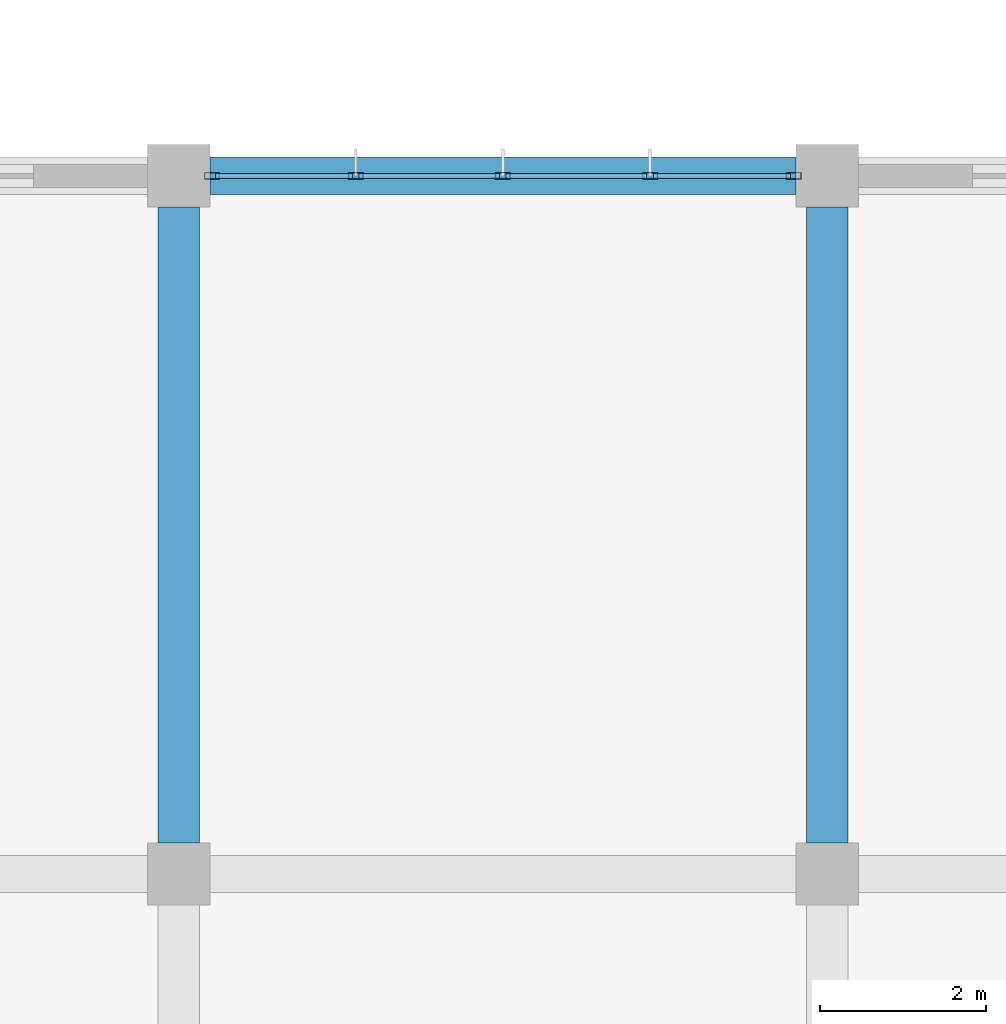
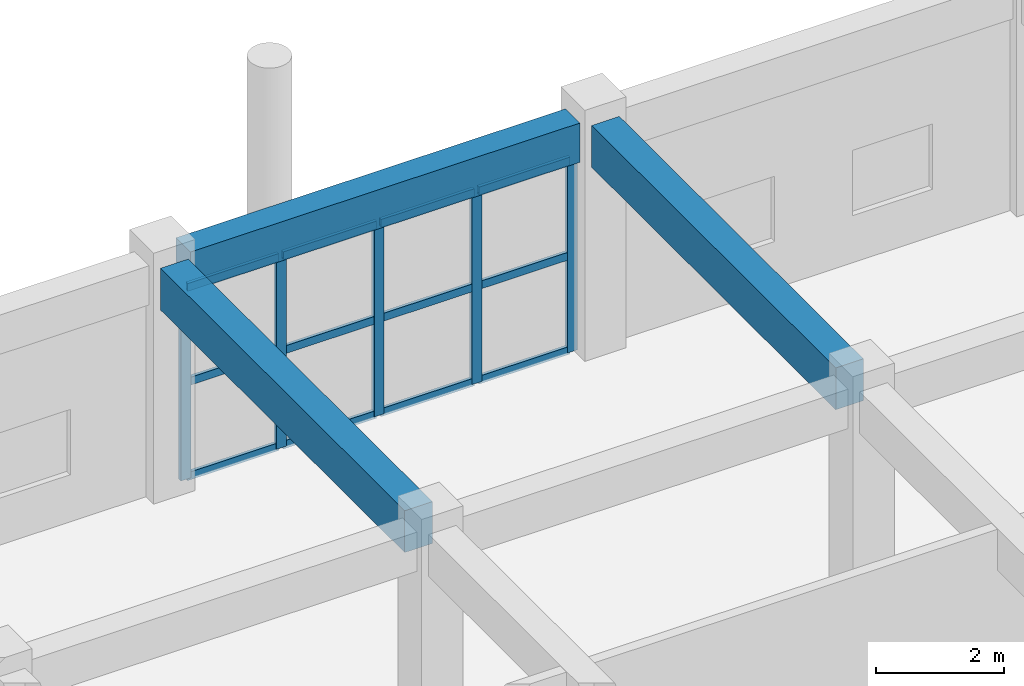
# One storey, part 128 of 175: 17 members, 3 beams, 1 element without a shape of its own.
"""IFC4 building model written with IfcOpenShell, lengths in metres."""

from ifc_helpers import new_model, si_unit, direction, frame, origin, origin_2d, place, context, subcontext, project, spatial, rectangle, hollow_rectangle, extrude, material, layer, layer_set, material_profile, profile_set, type_object, element, aggregate, save


model = new_model("IFC4")

# Units and contexts
model_context = context("Model", 3, precision=1e-05, world=origin(), true_north=direction((0.0, 1.0)))
body_context = subcontext(model_context, "Body", "Model", "MODEL_VIEW")
ifc_project = project(units=[si_unit("LENGTHUNIT", "METRE"), si_unit("AREAUNIT", "SQUARE_METRE"), si_unit("VOLUMEUNIT", "CUBIC_METRE"), si_unit("PLANEANGLEUNIT", "RADIAN"), si_unit("MASSUNIT", "GRAM", prefix="KILO")], contexts=[model_context])

# Site, building, storey
site_placement = place(None, origin())
site = spatial("IfcSite", under=ifc_project, at=site_placement, CompositionType="ELEMENT")
building_placement = place(site_placement, origin())
building = spatial("IfcBuilding", under=site, at=building_placement, Name="Zizhar Promenade General Hospital", CompositionType="ELEMENT")
storey_placement = place(building_placement, frame((0.0, 0.0, 4.800048828125)))
storey = spatial("IfcBuildingStorey", under=building, at=storey_placement, Name="L01", CompositionType="ELEMENT", Elevation=4.800048828125)

# Beams
ifc_material_1 = material(Name="Concrete C35/45", Category="concrete")
ifc_material_profile_1 = material_profile(ifc_material_1, rectangle(XDim=0.449951171875, YDim=0.75, at=origin_2d()))
ifc_profile_set_1 = profile_set([ifc_material_profile_1], Name="Concrete C35/45")
beam_type_1 = type_object("IfcBeamType", Name="BM-RC-450x750", PredefinedType="BEAM", material=ifc_profile_set_1)
beam_placement = place(storey_placement, frame((117.375, 134.39990234375, 4.094970703125), z_axis=(1.0, 0.0, 0.0), x_axis=(0.0, 1.0, 0.0)))
element("IfcBeam", 1, at=beam_placement, inside=storey, type_object=beam_type_1, Name="Grid Beam X L01 (15-16)", PredefinedType="BEAM", context=body_context, shape_type="SweptSolid", body=[
    extrude(rectangle(XDim=0.449951171875, YDim=0.75, at=origin_2d()), origin(), (0.0, 0.0, 1.0), 7.050048828125),
])
ifc_material_2 = material(Name="Concrete C35/45", Category="concrete")
ifc_material_profile_2 = material_profile(ifc_material_2, rectangle(XDim=0.5, YDim=0.800048828125, at=origin_2d()))
ifc_profile_set_2 = profile_set([ifc_material_profile_2], Name="Concrete C35/45")
beam_type_2 = type_object("IfcBeamType", Name="BM-RC-500x800", PredefinedType="BEAM", material=ifc_profile_set_2)
for number, where, z_axis, x_axis, name in (
    (2, (117.0, 126.375, 4.070068359375), (0.0, 1.0, 0.0), (-1.0, 0.0, 0.0), "Grid Beam Y L01 (15-15)"),
    (3, (124.800048828125, 126.375, 4.070068359375), (0.0, 1.0, 0.0), (-1.0, 0.0, 0.0), "Grid Beam Y L01 (16-15)"),
):
    element("IfcBeam", number, at=place(storey_placement, frame(where, z_axis=z_axis, x_axis=x_axis)), inside=storey, type_object=beam_type_2, Name=name, PredefinedType="BEAM", context=body_context, shape_type="SweptSolid", body=[
        extrude(rectangle(XDim=0.5, YDim=0.800048828125, at=origin_2d()), origin(), (0.0, 0.0, 1.0), 7.64990234375),
    ])

# Curtain wall, members
ifc_material_3 = material(Name="Anodised aluminium 6063-T6 and low-E glass", Category="aluminium")
ifc_layer = layer(ifc_material_3, 0.159912109375)
ifc_layer_set = layer_set([ifc_layer], Name="Anodised aluminium 6063-T6 and low-E glass")
curtain_wall_type = type_object("IfcCurtainWallType", Name="CW-DT-MOD2", PredefinedType="NOTDEFINED", material=ifc_layer_set)
curtain_wall_placement = place(storey_placement, origin())
curtain_wall = element("IfcCurtainWall", 4, at=curtain_wall_placement, inside=storey, type_object=curtain_wall_type, Name="Surgical North Glazed Curtain Wall L01-15", PredefinedType="NOTDEFINED")
ifc_material_4 = material(Name="Anodised aluminium 6063-T6", Category="aluminium")
ifc_material_profile_3 = material_profile(ifc_material_4, hollow_rectangle(XDim=0.080078125, YDim=0.179931640625, WallThickness=0.0048828125, at=origin_2d()))
ifc_profile_set_3 = profile_set([ifc_material_profile_3], Name="Anodised aluminium 6063-T6")
member_type_1 = type_object("IfcMemberType", Name="CWM-ALU-180x80", PredefinedType="MULLION", material=ifc_profile_set_3)
member_1_placement = place(storey_placement, frame((117.39990234375, 134.39990234375, 0.0), z_axis=(0.0, 0.0, 1.0), x_axis=(0.0, 1.0, 0.0)))
member_1 = element("IfcMember", 5, at=member_1_placement, type_object=member_type_1, Name="CW-08 mullion 1", PredefinedType="MULLION", context=body_context, shape_type="SweptSolid", body=[
    extrude(hollow_rectangle(XDim=0.080078125, YDim=0.179931640625, WallThickness=0.0048828125, at=origin_2d()), origin(), (0.0, 0.0, 1.0), 3.679931640625),
])
member_2_placement = place(storey_placement, frame((119.1298828125, 134.39990234375, 0.0), z_axis=(0.0, 0.0, 1.0), x_axis=(0.0, 1.0, 0.0)))
member_2 = element("IfcMember", 6, at=member_2_placement, type_object=member_type_1, Name="CW-08 mullion 2", PredefinedType="MULLION", context=body_context, shape_type="SweptSolid", body=[
    extrude(hollow_rectangle(XDim=0.080078125, YDim=0.179931640625, WallThickness=0.0048828125, at=origin_2d()), origin(), (0.0, 0.0, 1.0), 3.679931640625),
])
member_3_placement = place(storey_placement, frame((120.89990234375, 134.39990234375, 0.0), z_axis=(0.0, 0.0, 1.0), x_axis=(0.0, 1.0, 0.0)))
member_3 = element("IfcMember", 7, at=member_3_placement, type_object=member_type_1, Name="CW-08 mullion 3", PredefinedType="MULLION", context=body_context, shape_type="SweptSolid", body=[
    extrude(hollow_rectangle(XDim=0.080078125, YDim=0.179931640625, WallThickness=0.0048828125, at=origin_2d()), origin(), (0.0, 0.0, 1.0), 3.679931640625),
])
member_4_placement = place(storey_placement, frame((122.669921875, 134.39990234375, 0.0), z_axis=(0.0, 0.0, 1.0), x_axis=(0.0, 1.0, 0.0)))
member_4 = element("IfcMember", 8, at=member_4_placement, type_object=member_type_1, Name="CW-08 mullion 4", PredefinedType="MULLION", context=body_context, shape_type="SweptSolid", body=[
    extrude(hollow_rectangle(XDim=0.080078125, YDim=0.179931640625, WallThickness=0.0048828125, at=origin_2d()), origin(), (0.0, 0.0, 1.0), 3.679931640625),
])
member_5_placement = place(storey_placement, frame((124.39990234375, 134.39990234375, 0.0), z_axis=(0.0, 0.0, 1.0), x_axis=(0.0, 1.0, 0.0)))
member_5 = element("IfcMember", 9, at=member_5_placement, type_object=member_type_1, Name="CW-08 mullion 5", PredefinedType="MULLION", context=body_context, shape_type="SweptSolid", body=[
    extrude(hollow_rectangle(XDim=0.080078125, YDim=0.179931640625, WallThickness=0.0048828125, at=origin_2d()), origin(), (0.0, 0.0, 1.0), 3.679931640625),
])
ifc_material_5 = material(Name="Anodised aluminium 6063-T6", Category="aluminium")
ifc_material_profile_4 = material_profile(ifc_material_5, hollow_rectangle(XDim=0.06005859375, YDim=0.14990234375, WallThickness=0.00390625, at=origin_2d()))
ifc_profile_set_4 = profile_set([ifc_material_profile_4], Name="Anodised aluminium 6063-T6")
member_type_2 = type_object("IfcMemberType", Name="CWT-ALU-150x60", PredefinedType="USERDEFINED", material=ifc_profile_set_4)
member_6_placement = place(storey_placement, frame((117.43994140625, 134.39990234375, 0.030029296875), z_axis=(1.0, 0.0, 0.0), x_axis=(0.0, 1.0, 0.0)))
member_6 = element("IfcMember", 10, at=member_6_placement, type_object=member_type_2, Name="CW-08 transom 1.1", ObjectType="TRANSOM", PredefinedType="USERDEFINED", context=body_context, shape_type="SweptSolid", body=[
    extrude(hollow_rectangle(XDim=0.06005859375, YDim=0.14990234375, WallThickness=0.00390625, at=origin_2d()), origin(), (0.0, 0.0, 1.0), 1.650146484375),
])
member_7_placement = place(storey_placement, frame((117.43994140625, 134.39990234375, 1.83984375), z_axis=(1.0, 0.0, 0.0), x_axis=(0.0, 1.0, 0.0)))
member_7 = element("IfcMember", 11, at=member_7_placement, type_object=member_type_2, Name="CW-08 transom 1.2", ObjectType="TRANSOM", PredefinedType="USERDEFINED", context=body_context, shape_type="SweptSolid", body=[
    extrude(hollow_rectangle(XDim=0.06005859375, YDim=0.14990234375, WallThickness=0.00390625, at=origin_2d()), origin(), (0.0, 0.0, 1.0), 1.650146484375),
])
member_8_placement = place(storey_placement, frame((117.43994140625, 134.39990234375, 3.64990234375), z_axis=(1.0, 0.0, 0.0), x_axis=(0.0, 1.0, 0.0)))
member_8 = element("IfcMember", 12, at=member_8_placement, type_object=member_type_2, Name="CW-08 transom 1.3", ObjectType="TRANSOM", PredefinedType="USERDEFINED", context=body_context, shape_type="SweptSolid", body=[
    extrude(hollow_rectangle(XDim=0.06005859375, YDim=0.14990234375, WallThickness=0.00390625, at=origin_2d()), origin(), (0.0, 0.0, 1.0), 1.650146484375),
])
member_9_placement = place(storey_placement, frame((119.169921875, 134.39990234375, 0.030029296875), z_axis=(1.0, 0.0, 0.0), x_axis=(0.0, 1.0, 0.0)))
member_9 = element("IfcMember", 13, at=member_9_placement, type_object=member_type_2, Name="CW-08 transom 2.1", ObjectType="TRANSOM", PredefinedType="USERDEFINED", context=body_context, shape_type="SweptSolid", body=[
    extrude(hollow_rectangle(XDim=0.06005859375, YDim=0.14990234375, WallThickness=0.00390625, at=origin_2d()), origin(), (0.0, 0.0, 1.0), 1.690185546875),
])
member_10_placement = place(storey_placement, frame((119.169921875, 134.39990234375, 1.83984375), z_axis=(1.0, 0.0, 0.0), x_axis=(0.0, 1.0, 0.0)))
member_10 = element("IfcMember", 14, at=member_10_placement, type_object=member_type_2, Name="CW-08 transom 2.2", ObjectType="TRANSOM", PredefinedType="USERDEFINED", context=body_context, shape_type="SweptSolid", body=[
    extrude(hollow_rectangle(XDim=0.06005859375, YDim=0.14990234375, WallThickness=0.00390625, at=origin_2d()), origin(), (0.0, 0.0, 1.0), 1.690185546875),
])
member_11_placement = place(storey_placement, frame((119.169921875, 134.39990234375, 3.64990234375), z_axis=(1.0, 0.0, 0.0), x_axis=(0.0, 1.0, 0.0)))
member_11 = element("IfcMember", 15, at=member_11_placement, type_object=member_type_2, Name="CW-08 transom 2.3", ObjectType="TRANSOM", PredefinedType="USERDEFINED", context=body_context, shape_type="SweptSolid", body=[
    extrude(hollow_rectangle(XDim=0.06005859375, YDim=0.14990234375, WallThickness=0.00390625, at=origin_2d()), origin(), (0.0, 0.0, 1.0), 1.690185546875),
])
member_12_placement = place(storey_placement, frame((120.93994140625, 134.39990234375, 0.030029296875), z_axis=(1.0, 0.0, 0.0), x_axis=(0.0, 1.0, 0.0)))
member_12 = element("IfcMember", 16, at=member_12_placement, type_object=member_type_2, Name="CW-08 transom 3.1", ObjectType="TRANSOM", PredefinedType="USERDEFINED", context=body_context, shape_type="SweptSolid", body=[
    extrude(hollow_rectangle(XDim=0.06005859375, YDim=0.14990234375, WallThickness=0.00390625, at=origin_2d()), origin(), (0.0, 0.0, 1.0), 1.68994140625),
])
member_13_placement = place(storey_placement, frame((120.93994140625, 134.39990234375, 1.83984375), z_axis=(1.0, 0.0, 0.0), x_axis=(0.0, 1.0, 0.0)))
member_13 = element("IfcMember", 17, at=member_13_placement, type_object=member_type_2, Name="CW-08 transom 3.2", ObjectType="TRANSOM", PredefinedType="USERDEFINED", context=body_context, shape_type="SweptSolid", body=[
    extrude(hollow_rectangle(XDim=0.06005859375, YDim=0.14990234375, WallThickness=0.00390625, at=origin_2d()), origin(), (0.0, 0.0, 1.0), 1.68994140625),
])
member_14_placement = place(storey_placement, frame((120.93994140625, 134.39990234375, 3.64990234375), z_axis=(1.0, 0.0, 0.0), x_axis=(0.0, 1.0, 0.0)))
member_14 = element("IfcMember", 18, at=member_14_placement, type_object=member_type_2, Name="CW-08 transom 3.3", ObjectType="TRANSOM", PredefinedType="USERDEFINED", context=body_context, shape_type="SweptSolid", body=[
    extrude(hollow_rectangle(XDim=0.06005859375, YDim=0.14990234375, WallThickness=0.00390625, at=origin_2d()), origin(), (0.0, 0.0, 1.0), 1.68994140625),
])
member_15_placement = place(storey_placement, frame((122.7099609375, 134.39990234375, 0.030029296875), z_axis=(1.0, 0.0, 0.0), x_axis=(0.0, 1.0, 0.0)))
member_15 = element("IfcMember", 19, at=member_15_placement, type_object=member_type_2, Name="CW-08 transom 4.1", ObjectType="TRANSOM", PredefinedType="USERDEFINED", context=body_context, shape_type="SweptSolid", body=[
    extrude(hollow_rectangle(XDim=0.06005859375, YDim=0.14990234375, WallThickness=0.00390625, at=origin_2d()), origin(), (0.0, 0.0, 1.0), 1.650146484375),
])
member_16_placement = place(storey_placement, frame((122.7099609375, 134.39990234375, 1.83984375), z_axis=(1.0, 0.0, 0.0), x_axis=(0.0, 1.0, 0.0)))
member_16 = element("IfcMember", 20, at=member_16_placement, type_object=member_type_2, Name="CW-08 transom 4.2", ObjectType="TRANSOM", PredefinedType="USERDEFINED", context=body_context, shape_type="SweptSolid", body=[
    extrude(hollow_rectangle(XDim=0.06005859375, YDim=0.14990234375, WallThickness=0.00390625, at=origin_2d()), origin(), (0.0, 0.0, 1.0), 1.650146484375),
])
member_17_placement = place(storey_placement, frame((122.7099609375, 134.39990234375, 3.64990234375), z_axis=(1.0, 0.0, 0.0), x_axis=(0.0, 1.0, 0.0)))
member_17 = element("IfcMember", 21, at=member_17_placement, type_object=member_type_2, Name="CW-08 transom 4.3", ObjectType="TRANSOM", PredefinedType="USERDEFINED", context=body_context, shape_type="SweptSolid", body=[
    extrude(hollow_rectangle(XDim=0.06005859375, YDim=0.14990234375, WallThickness=0.00390625, at=origin_2d()), origin(), (0.0, 0.0, 1.0), 1.650146484375),
])
aggregate(curtain_wall, [member_1, member_2, member_3, member_4, member_5, member_6, member_7, member_8, member_9, member_10, member_11, member_12, member_13, member_14, member_15, member_16, member_17])

save(model, "model.ifc")
